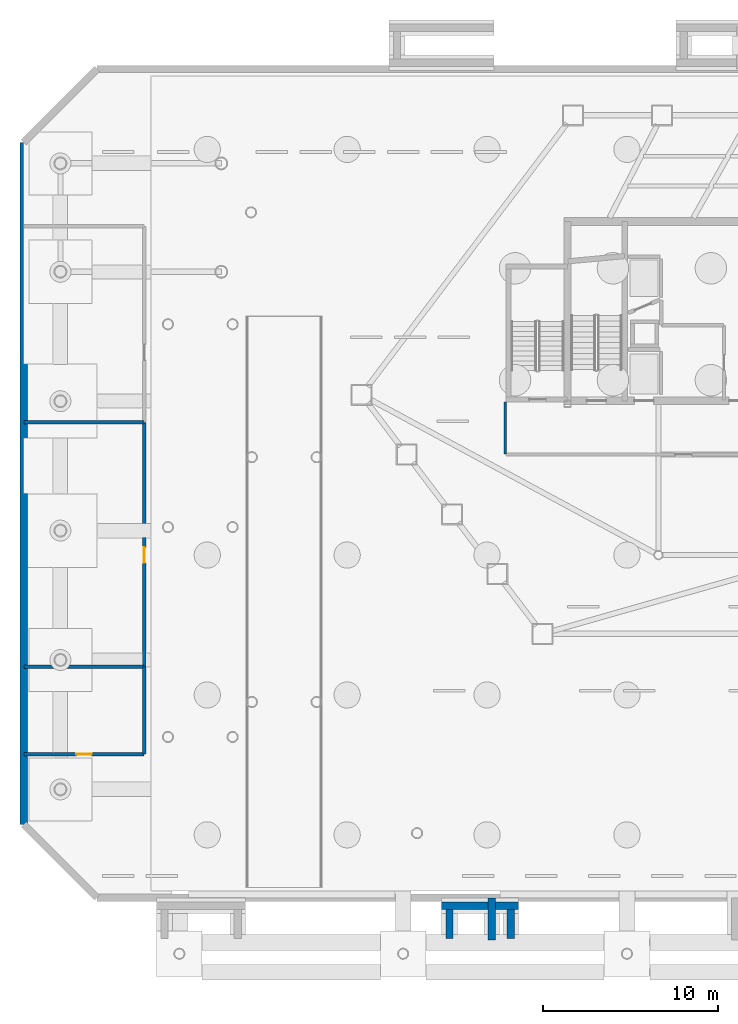
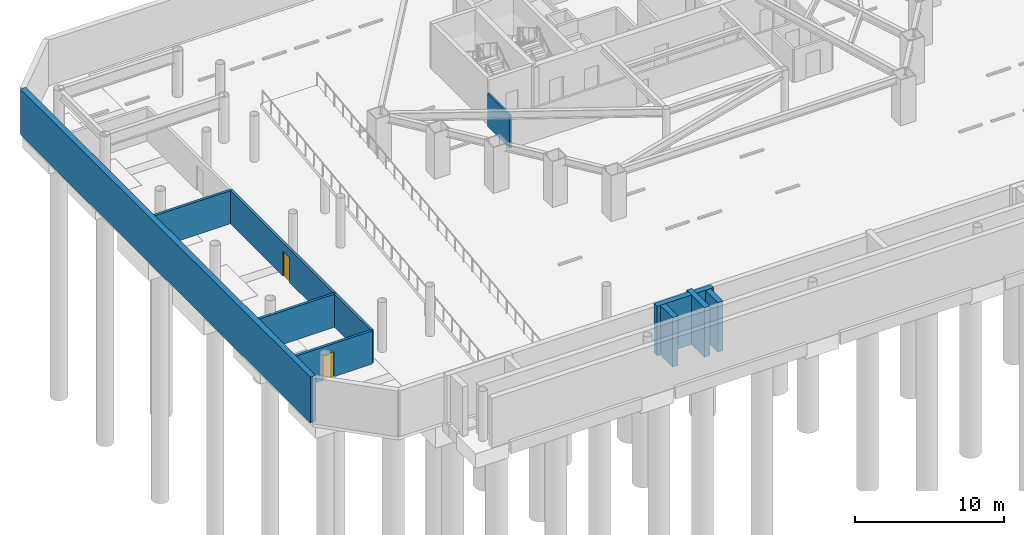
# One storey, part 10 of 19: 11 walls, 2 doors, 2 openings.
"""IFC4 building model written with IfcOpenShell, lengths in metres."""

from ifc_helpers import new_model, si_unit, direction, frame, frame_2d, origin, place, context, subcontext, project, spatial, rectangle, extrude, material, layer, layer_set, type_object, element, fill, save


model = new_model("IFC4")

# Units and contexts
model_context = context("Model", 3, precision=1e-05, world=origin(), true_north=direction((0.0, 1.0)))
body_context = subcontext(model_context, "Body", "Model", "MODEL_VIEW")
ifc_project = project(units=[si_unit("LENGTHUNIT", "METRE"), si_unit("AREAUNIT", "SQUARE_METRE"), si_unit("VOLUMEUNIT", "CUBIC_METRE"), si_unit("PLANEANGLEUNIT", "RADIAN"), si_unit("MASSUNIT", "GRAM", prefix="KILO")], contexts=[model_context])

# Site, building, storey
site_placement = place(None, origin())
site = spatial("IfcSite", under=ifc_project, at=site_placement, CompositionType="ELEMENT")
building_placement = place(site_placement, origin())
building = spatial("IfcBuilding", under=site, at=building_placement, Name="Zarrinselat Tower", CompositionType="ELEMENT")
storey_placement = place(building_placement, frame((0.0, 0.0, -8.159912109375)))
storey = spatial("IfcBuildingStorey", under=building, at=storey_placement, Name="B02", CompositionType="ELEMENT", Elevation=-8.159912109375)

# Wall
ifc_material_1 = material(Name="Fire-Rated Gypsum Board Partition", Category="gypsum")
ifc_layer_1 = layer(ifc_material_1, 0.14990234375)
ifc_layer_set_1 = layer_set([ifc_layer_1], Name="Fire-Rated Gypsum Board Partition")
wall_type_1 = type_object("IfcWallType", Name="WAL-PART-EI60", PredefinedType="PARTITIONING", material=ifc_layer_set_1)
wall_1_placement = place(storey_placement, frame((25.050048828125, 30.169921875, 0.0), z_axis=(0.0, 0.0, 1.0), x_axis=(0.0, 1.0, 0.0)))
element("IfcWall", 1, at=wall_1_placement, inside=storey, type_object=wall_type_1, Name="B02 Partition Wall 10", PredefinedType="PARTITIONING", context=body_context, shape_type="SweptSolid", body=[
    extrude(rectangle(XDim=2.97998046875, YDim=0.14990234375, at=frame_2d((1.489990234375, 0.0))), origin(), (0.0, 0.0, 1.0), 2.716796875),
])

# Wall, opening, door
ifc_material_2 = material(Name="Concrete C40/50", Category="concrete")
ifc_layer_2 = layer(ifc_material_2, 0.199951171875)
ifc_layer_set_2 = layer_set([ifc_layer_2], Name="Concrete C40/50")
wall_type_2 = type_object("IfcWallType", Name="WAL-PART-PLANT", PredefinedType="PARTITIONING", material=ifc_layer_set_2)
wall_2_placement = place(storey_placement, frame((-2.485107421875, 13.0, 0.0), z_axis=(0.0, 0.0, 1.0), x_axis=(1.0, 0.0, 0.0)))
wall_2 = element("IfcWall", 2, at=wall_2_placement, inside=storey, type_object=wall_type_2, Name="B02 Partition Wall 18", PredefinedType="PARTITIONING", context=body_context, shape_type="SweptSolid", body=[
    extrude(rectangle(XDim=6.864990234375, YDim=0.199951171875, at=frame_2d((3.4326171875, 0.0))), origin(), (0.0, 0.0, 1.0), 2.716796875),
])
opening_1_placement = place(wall_2_placement, frame((2.992431640625, 0.0, 0.0)))
opening_1 = element("IfcOpeningElement", 3, at=opening_1_placement, cuts=wall_2, Name="Opening ID-03", PredefinedType="OPENING", context=body_context, shape_type="SweptSolid", body=[
    extrude(rectangle(XDim=0.8798828125, YDim=2.050048828125, at=frame_2d((0.43994140625, 1.02490234375))), frame((0.0, 0.10986328125, 0.0), z_axis=(0.0, -1.0, 0.0), x_axis=(1.0, 0.0, 0.0)), (0.0, 0.0, 1.0), 0.219970703125),
])
ifc_material_3 = material(Name="Steel S355J2", Category="steel")
door_type = type_object("IfcDoorType", Name="DR-INT-FD60-S", OperationType="NOTDEFINED", PredefinedType="DOOR", material=ifc_material_3)
door_1_placement = place(opening_1_placement, origin())
door_1 = element("IfcDoor", 4, at=door_1_placement, inside=storey, type_object=door_type, Name="B02 Interior Door P18", OperationType="SINGLE_SWING_RIGHT", OverallHeight=2.050048828125, OverallWidth=0.8798828125, PredefinedType="DOOR", context=body_context, shape_type="SweptSolid", body=[
    extrude(rectangle(XDim=0.8798828125, YDim=2.050048828125, at=frame_2d((0.43994140625, 1.02490234375))), frame((0.0, 0.02490234375, 0.0), z_axis=(0.0, -1.0, 0.0), x_axis=(1.0, 0.0, 0.0)), (0.0, 0.0, 1.0), 0.050048828125),
])
fill(opening_1, door_1)

# Wall
wall_3_placement = place(storey_placement, frame((4.39990234375, 13.02001953125, 0.0), z_axis=(0.0, 0.0, 1.0), x_axis=(0.0, 1.0, 0.0)))
element("IfcWall", 5, at=wall_3_placement, inside=storey, type_object=wall_type_2, Name="B02 Partition Wall 19", PredefinedType="PARTITIONING", context=body_context, shape_type="SweptSolid", body=[
    extrude(rectangle(XDim=4.97509765625, YDim=0.199951171875, at=frame_2d((2.487548828125, 0.0))), origin(), (0.0, 0.0, 1.0), 2.716796875),
])

# Wall, opening, door
wall_4_placement = place(storey_placement, frame((4.39990234375, 18.0048828125, 0.0), z_axis=(0.0, 0.0, 1.0), x_axis=(0.0, 1.0, 0.0)))
wall_4 = element("IfcWall", 6, at=wall_4_placement, inside=storey, type_object=wall_type_2, Name="B02 Partition Wall 20", PredefinedType="PARTITIONING", context=body_context, shape_type="SweptSolid", body=[
    extrude(rectangle(XDim=13.990234375, YDim=0.199951171875, at=frame_2d((6.9951171875, 0.0))), origin(), (0.0, 0.0, 1.0), 2.716796875),
])
opening_2_placement = place(wall_4_placement, frame((5.955078125, 0.0, 0.0)))
opening_2 = element("IfcOpeningElement", 7, at=opening_2_placement, cuts=wall_4, Name="Opening ID-03", PredefinedType="OPENING", context=body_context, shape_type="SweptSolid", body=[
    extrude(rectangle(XDim=0.8798828125, YDim=2.050048828125, at=frame_2d((0.43994140625, 1.02490234375))), frame((0.0, 0.10986328125, 0.0), z_axis=(0.0, -1.0, 0.0), x_axis=(1.0, 0.0, 0.0)), (0.0, 0.0, 1.0), 0.219970703125),
])
door_2_placement = place(opening_2_placement, origin())
door_2 = element("IfcDoor", 8, at=door_2_placement, inside=storey, type_object=door_type, Name="B02 Interior Door P20", OperationType="SINGLE_SWING_LEFT", OverallHeight=2.050048828125, OverallWidth=0.8798828125, PredefinedType="DOOR", context=body_context, shape_type="SweptSolid", body=[
    extrude(rectangle(XDim=0.8798828125, YDim=2.050048828125, at=frame_2d((0.43994140625, 1.02490234375))), frame((0.0, 0.02490234375, 0.0), z_axis=(0.0, -1.0, 0.0), x_axis=(1.0, 0.0, 0.0)), (0.0, 0.0, 1.0), 0.050048828125),
])
fill(opening_2, door_2)

# Walls
for number, where, z_axis, x_axis, name in (
    (9, (-2.485107421875, 18.0, 0.0), (0.0, 0.0, 1.0), (1.0, 0.0, 0.0), "B02 Partition Wall 24"),
    (10, (-2.485107421875, 32.0, 0.0), (0.0, 0.0, 1.0), (1.0, 0.0, 0.0), "B02 Partition Wall 25"),
):
    element("IfcWall", number, at=place(storey_placement, frame(where, z_axis=z_axis, x_axis=x_axis)), inside=storey, type_object=wall_type_2, Name=name, PredefinedType="PARTITIONING", context=body_context, shape_type="SweptSolid", body=[
        extrude(rectangle(XDim=6.864990234375, YDim=0.199951171875, at=frame_2d((3.4326171875, 0.0))), origin(), (0.0, 0.0, 1.0), 2.716796875),
    ])
ifc_material_4 = material(Name="Concrete C50/60", Category="concrete")
ifc_layer_3 = layer(ifc_material_4, 0.419921875)
ifc_layer_set_3 = layer_set([ifc_layer_3], Name="Concrete C50/60")
wall_type_3 = type_object("IfcWallType", Name="WAL-RET-420", PredefinedType="SOLIDWALL", material=ifc_layer_set_3)
wall_5_placement = place(storey_placement, frame((24.27490234375, 2.39990234375, 0.0), z_axis=(0.0, 0.0, 1.0), x_axis=(0.0, 1.0, 0.0)))
element("IfcWall", 11, at=wall_5_placement, inside=storey, type_object=wall_type_3, Name="B02 Accessible Ramp 1 Bearing Wall", PredefinedType="SOLIDWALL", context=body_context, shape_type="SweptSolid", body=[
    extrude(rectangle(XDim=2.400146484375, YDim=0.419921875, at=frame_2d((1.2001953125, 0.0))), origin(), (0.0, 0.0, 1.0), 4.079833984375),
])
wall_6_placement = place(storey_placement, frame((21.39990234375, 4.35009765625, 0.0), z_axis=(0.0, 0.0, 1.0), x_axis=(1.0, 0.0, 0.0)))
element("IfcWall", 12, at=wall_6_placement, inside=storey, type_object=wall_type_3, Name="B02 EXW Apron North Bearing Wall", PredefinedType="SOLIDWALL", context=body_context, shape_type="SweptSolid", body=[
    extrude(rectangle(XDim=4.400146484375, YDim=0.419921875, at=frame_2d((2.2001953125, 0.0))), origin(), (0.0, 0.0, 1.0), 4.079833984375),
])
for number, where, z_axis, x_axis, name in (
    (13, (21.85009765625, 2.469970703125, 0.0), (0.0, 0.0, 1.0), (0.0, 1.0, 0.0), "B02 EXW Apron West Cross Bearing Wall"),
    (14, (25.35009765625, 2.469970703125, 0.0), (0.0, 0.0, 1.0), (0.0, 1.0, 0.0), "B02 EXW Apron East Cross Bearing Wall"),
):
    element("IfcWall", number, at=place(storey_placement, frame(where, z_axis=z_axis, x_axis=x_axis)), inside=storey, type_object=wall_type_3, Name=name, PredefinedType="SOLIDWALL", context=body_context, shape_type="SweptSolid", body=[
        extrude(rectangle(XDim=1.659912109375, YDim=0.419921875, at=frame_2d((0.830078125, 0.0))), origin(), (0.0, 0.0, 1.0), 4.079833984375),
    ])
wall_7_placement = place(storey_placement, frame((-2.5, 9.0, 0.0), z_axis=(0.0, 0.0, 1.0), x_axis=(0.0, 1.0, 0.0)))
element("IfcWall", 15, at=wall_7_placement, inside=storey, type_object=wall_type_3, Name="B02 Basement Perimeter Retaining Wall 7", PredefinedType="SOLIDWALL", context=body_context, shape_type="SweptSolid", body=[
    extrude(rectangle(XDim=39.0, YDim=0.419921875, at=frame_2d((19.5, 0.0))), origin(), (0.0, 0.0, 1.0), 3.760009765625),
])

save(model, "model.ifc")
